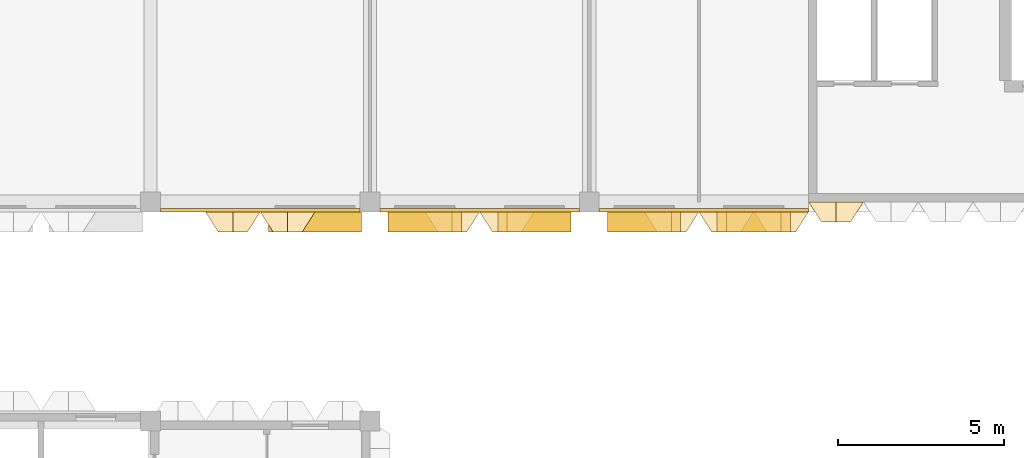
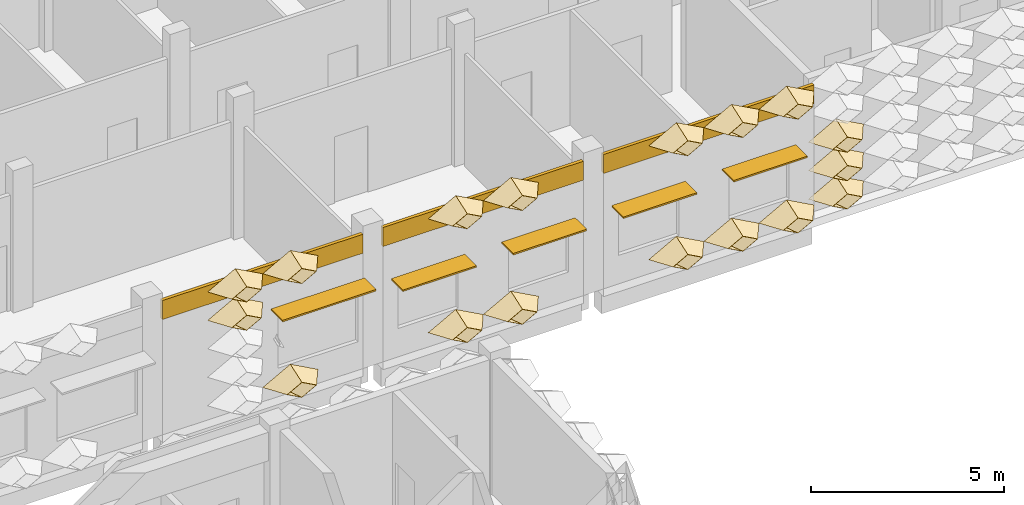
# One storey, part 87 of 102: 20 coverings, 5 shading devices.
"""IFC4 building model written with IfcOpenShell, lengths in metres."""

from ifc_helpers import new_model, entity, si_unit, direction, frame, frame_2d, origin, origin_2d, place, context, subcontext, project, spatial, rectangle, extrude, material, layer, layer_set, type_object, element, save


model = new_model("IFC4")

# Units and contexts
model_context = context("Model", 3, precision=1e-05, world=origin(), true_north=direction((0.0, 1.0)))
body_context = subcontext(model_context, "Body", "Model", "MODEL_VIEW")
ifc_project = project(units=[si_unit("LENGTHUNIT", "METRE"), si_unit("AREAUNIT", "SQUARE_METRE"), si_unit("VOLUMEUNIT", "CUBIC_METRE"), si_unit("PLANEANGLEUNIT", "RADIAN"), si_unit("MASSUNIT", "GRAM", prefix="KILO")], contexts=[model_context])

# Site, building, storey
site_placement = place(None, origin())
site = spatial("IfcSite", under=ifc_project, at=site_placement, CompositionType="ELEMENT")
building_placement = place(site_placement, origin())
building = spatial("IfcBuilding", under=site, at=building_placement, Name="Lantern Court Research Institute", CompositionType="ELEMENT")
storey_placement = place(building_placement, frame((0.0, 0.0, 9.89990234375)))
storey = spatial("IfcBuildingStorey", under=building, at=storey_placement, Name="L02", CompositionType="ELEMENT", Elevation=9.89990234375)

# Shading devices
ifc_material_1 = material(Name="Aluminium alloy 6063-T6", Category="aluminium")
ifc_layer_1 = layer(ifc_material_1, 0.050048828125)
ifc_layer_set_1 = layer_set([ifc_layer_1], Name="Aluminium alloy 6063-T6")
shading_device_type_1 = type_object("IfcShadingDeviceType", Name="Brise-soleil blade 2200 x 600 x 50 aluminium", PredefinedType="USERDEFINED", material=ifc_layer_set_1)
for number, where, z_axis, x_axis, name in (
    (1, (28.050048828125, 81.89990234375, 2.5), (0.0, 0.0, 1.0), (-1.0, 0.0, 0.0), "Brise-soleil blade L02 S"),
    (2, (31.35009765625, 81.89990234375, 2.5), (0.0, 0.0, 1.0), (-1.0, 0.0, 0.0), "Brise-soleil blade L02 S"),
    (3, (34.64990234375, 81.89990234375, 2.5), (0.0, 0.0, 1.0), (-1.0, 0.0, 0.0), "Brise-soleil blade L02 S"),
    (4, (37.949951171875, 81.89990234375, 2.5), (0.0, 0.0, 1.0), (-1.0, 0.0, 0.0), "Brise-soleil blade L02 S"),
):
    element("IfcShadingDevice", number, at=place(storey_placement, frame(where, z_axis=z_axis, x_axis=x_axis)), inside=storey, type_object=shading_device_type_1, Name=name, ObjectType="LOUVRE", PredefinedType="USERDEFINED", context=body_context, shape_type="SweptSolid", body=[
        extrude(rectangle(XDim=2.199951171875, YDim=0.60009765625, at=origin_2d()), origin(), (0.0, 0.0, 1.0), 0.050048828125),
    ])
ifc_material_2 = material(Name="Aluminium alloy 6063-T6", Category="aluminium")
ifc_layer_2 = layer(ifc_material_2, 0.050048828125)
ifc_layer_set_2 = layer_set([ifc_layer_2], Name="Aluminium alloy 6063-T6")
shading_device_type_2 = type_object("IfcShadingDeviceType", Name="Brise-soleil blade 2800 x 600 x 50 aluminium", PredefinedType="USERDEFINED", material=ifc_layer_set_2)
shading_device_placement = place(storey_placement, frame((24.75, 81.89990234375, 2.80029296875), z_axis=(0.0, 0.0, 1.0), x_axis=(-1.0, 0.0, 0.0)))
element("IfcShadingDevice", 5, at=shading_device_placement, inside=storey, type_object=shading_device_type_2, Name="Brise-soleil blade L02 S", ObjectType="LOUVRE", PredefinedType="USERDEFINED", context=body_context, shape_type="SweptSolid", body=[
    extrude(rectangle(XDim=2.800048828125, YDim=0.60009765625, at=origin_2d()), origin(), (0.0, 0.0, 1.0), 0.050048828125),
])

# Coverings
ifc_material_3 = material(Name="Aluminium composite panel with mineral wool insulation", Category="aluminium")
ifc_layer_3 = layer(ifc_material_3, 0.10009765625)
ifc_layer_set_3 = layer_set([ifc_layer_3], Name="Aluminium composite panel with mineral wool insulation")
covering_type_1 = type_object("IfcCoveringType", Name="Edge fascia panel 100 aluminium faced", PredefinedType="CLADDING", material=ifc_layer_set_3)
for number, where, z_axis, x_axis, name in (
    (6, (26.10009765625, 82.25, 3.650146484375), (0.0, 0.0, 1.0), (-1.0, 0.0, 0.0), "Edge fascia V6S L02 04"),
    (7, (32.699951171875, 82.25, 3.650146484375), (0.0, 0.0, 1.0), (-1.0, 0.0, 0.0), "Edge fascia V6S L02 05"),
):
    element("IfcCovering", number, at=place(storey_placement, frame(where, z_axis=z_axis, x_axis=x_axis)), inside=storey, type_object=covering_type_1, Name=name, PredefinedType="CLADDING", context=body_context, shape_type="SweptSolid", body=[
        extrude(rectangle(XDim=6.0, YDim=0.10009765625, at=frame_2d((3.0, 0.0))), origin(), (0.0, 0.0, 1.0), 0.599853515625),
    ])
covering_1_placement = place(storey_placement, frame((39.60009765625, 82.25, 3.650146484375), z_axis=(0.0, 0.0, 1.0), x_axis=(-1.0, 0.0, 0.0)))
element("IfcCovering", 8, at=covering_1_placement, inside=storey, type_object=covering_type_1, Name="Edge fascia V6S L02 06", PredefinedType="CLADDING", context=body_context, shape_type="SweptSolid", body=[
    extrude(rectangle(XDim=6.300048828125, YDim=0.10009765625, at=frame_2d((3.14990234375, 0.0))), origin(), (0.0, 0.0, 1.0), 0.599853515625),
])
ifc_material_4 = material(Name="Anodised aluminium", Category="aluminium")
ifc_layer_4 = layer(ifc_material_4, 0.01611328125)
ifc_layer_set_4 = layer_set([ifc_layer_4], Name="Anodised aluminium")
covering_type_2 = type_object("IfcCoveringType", Name="Fin cassette 1650 x 900 x 600 aluminium", PredefinedType="CLADDING", material=ifc_layer_set_4)
covering_2_placement = place(storey_placement, frame((40.425048828125, 82.5, 0.4501953125), z_axis=(0.0, -1.0, 0.0), x_axis=(1.0, 0.0, 0.0)))
cartesian_point_1 = entity("IfcCartesianPoint", [0.824951171875, 0.0])
cartesian_point_2 = entity("IfcCartesianPoint", [0.79150390625, 0.0])
cartesian_point_3 = entity("IfcCartesianPoint", [0.44189453125, 0.0])
cartesian_point_4 = entity("IfcCartesianPoint", [0.43359375, 0.0])
element("IfcCovering", 9, at=covering_2_placement, inside=storey, type_object=covering_type_2, Name="Fin cassette V6S-L02 1.25", PredefinedType="CLADDING", context=body_context, shape_type="SweptSolid", body=[
    entity("IfcExtrudedAreaSolidTapered", entity("IfcArbitraryProfileDefWithVoids", "AREA", None, entity("IfcPolyline", [cartesian_point_1, entity("IfcCartesianPoint", [0.0, 0.449951171875]), entity("IfcCartesianPoint", [-0.824951171875, 0.0]), entity("IfcCartesianPoint", [0.0, -0.449951171875]), cartesian_point_1]), [entity("IfcPolyline", [cartesian_point_2, entity("IfcCartesianPoint", [0.0, 0.431884765625]), entity("IfcCartesianPoint", [-0.79150390625, 0.0]), entity("IfcCartesianPoint", [0.0, -0.431884765625]), cartesian_point_2])]), entity("IfcAxis2Placement3D", entity("IfcCartesianPoint", [0.0, 0.0, 0.0])), entity("IfcDirection", [0.0, 0.0, 1.0]), 0.60009765625, entity("IfcArbitraryProfileDefWithVoids", "AREA", None, entity("IfcPolyline", [cartesian_point_3, entity("IfcCartesianPoint", [0.0, 0.240966796875]), entity("IfcCartesianPoint", [-0.44189453125, 0.0]), entity("IfcCartesianPoint", [0.0, -0.240966796875]), cartesian_point_3]), [entity("IfcPolyline", [cartesian_point_4, entity("IfcCartesianPoint", [0.0, 0.236572265625]), entity("IfcCartesianPoint", [-0.43359375, 0.0]), entity("IfcCartesianPoint", [0.0, -0.236572265625]), cartesian_point_4])])),
])
covering_3_placement = place(storey_placement, frame((40.425048828125, 82.5, 1.35009765625), z_axis=(0.0, -1.0, 0.0), x_axis=(1.0, 0.0, 0.0)))
cartesian_point_5 = entity("IfcCartesianPoint", [0.824951171875, 0.0])
cartesian_point_6 = entity("IfcCartesianPoint", [0.79150390625, 0.0])
cartesian_point_7 = entity("IfcCartesianPoint", [0.44189453125, 0.0])
cartesian_point_8 = entity("IfcCartesianPoint", [0.43359375, 0.0])
element("IfcCovering", 10, at=covering_3_placement, inside=storey, type_object=covering_type_2, Name="Fin cassette V6S-L02 2.25", PredefinedType="CLADDING", context=body_context, shape_type="SweptSolid", body=[
    entity("IfcExtrudedAreaSolidTapered", entity("IfcArbitraryProfileDefWithVoids", "AREA", None, entity("IfcPolyline", [cartesian_point_5, entity("IfcCartesianPoint", [0.0, 0.449951171875]), entity("IfcCartesianPoint", [-0.824951171875, 0.0]), entity("IfcCartesianPoint", [0.0, -0.449951171875]), cartesian_point_5]), [entity("IfcPolyline", [cartesian_point_6, entity("IfcCartesianPoint", [0.0, 0.431884765625]), entity("IfcCartesianPoint", [-0.79150390625, 0.0]), entity("IfcCartesianPoint", [0.0, -0.431884765625]), cartesian_point_6])]), entity("IfcAxis2Placement3D", entity("IfcCartesianPoint", [0.0, 0.0, 0.0])), entity("IfcDirection", [0.0, 0.0, 1.0]), 0.60009765625, entity("IfcArbitraryProfileDefWithVoids", "AREA", None, entity("IfcPolyline", [cartesian_point_7, entity("IfcCartesianPoint", [0.0, 0.240966796875]), entity("IfcCartesianPoint", [-0.44189453125, 0.0]), entity("IfcCartesianPoint", [0.0, -0.240966796875]), cartesian_point_7]), [entity("IfcPolyline", [cartesian_point_8, entity("IfcCartesianPoint", [0.0, 0.236572265625]), entity("IfcCartesianPoint", [-0.43359375, 0.0]), entity("IfcCartesianPoint", [0.0, -0.236572265625]), cartesian_point_8])])),
])
covering_4_placement = place(storey_placement, frame((40.425048828125, 82.5, 2.25), z_axis=(0.0, -1.0, 0.0), x_axis=(1.0, 0.0, 0.0)))
cartesian_point_9 = entity("IfcCartesianPoint", [0.824951171875, 0.0])
cartesian_point_10 = entity("IfcCartesianPoint", [0.79150390625, 0.0])
cartesian_point_11 = entity("IfcCartesianPoint", [0.44189453125, 0.0])
cartesian_point_12 = entity("IfcCartesianPoint", [0.43359375, 0.0])
element("IfcCovering", 11, at=covering_4_placement, inside=storey, type_object=covering_type_2, Name="Fin cassette V6S-L02 3.25", PredefinedType="CLADDING", context=body_context, shape_type="SweptSolid", body=[
    entity("IfcExtrudedAreaSolidTapered", entity("IfcArbitraryProfileDefWithVoids", "AREA", None, entity("IfcPolyline", [cartesian_point_9, entity("IfcCartesianPoint", [0.0, 0.449951171875]), entity("IfcCartesianPoint", [-0.824951171875, 0.0]), entity("IfcCartesianPoint", [0.0, -0.449951171875]), cartesian_point_9]), [entity("IfcPolyline", [cartesian_point_10, entity("IfcCartesianPoint", [0.0, 0.431884765625]), entity("IfcCartesianPoint", [-0.79150390625, 0.0]), entity("IfcCartesianPoint", [0.0, -0.431884765625]), cartesian_point_10])]), entity("IfcAxis2Placement3D", entity("IfcCartesianPoint", [0.0, 0.0, 0.0])), entity("IfcDirection", [0.0, 0.0, 1.0]), 0.60009765625, entity("IfcArbitraryProfileDefWithVoids", "AREA", None, entity("IfcPolyline", [cartesian_point_11, entity("IfcCartesianPoint", [0.0, 0.240966796875]), entity("IfcCartesianPoint", [-0.44189453125, 0.0]), entity("IfcCartesianPoint", [0.0, -0.240966796875]), cartesian_point_11]), [entity("IfcPolyline", [cartesian_point_12, entity("IfcCartesianPoint", [0.0, 0.236572265625]), entity("IfcCartesianPoint", [-0.43359375, 0.0]), entity("IfcCartesianPoint", [0.0, -0.236572265625]), cartesian_point_12])])),
])
covering_5_placement = place(storey_placement, frame((23.925048828125, 82.199951171875, 0.4501953125), z_axis=(0.0, -1.0, 0.0), x_axis=(1.0, 0.0, 0.0)))
cartesian_point_13 = entity("IfcCartesianPoint", [0.824951171875, 0.0])
cartesian_point_14 = entity("IfcCartesianPoint", [0.79150390625, 0.0])
cartesian_point_15 = entity("IfcCartesianPoint", [0.44189453125, 0.0])
cartesian_point_16 = entity("IfcCartesianPoint", [0.43359375, 0.0])
element("IfcCovering", 12, at=covering_5_placement, inside=storey, type_object=covering_type_2, Name="Fin cassette V6S-L02 1.15", PredefinedType="CLADDING", context=body_context, shape_type="SweptSolid", body=[
    entity("IfcExtrudedAreaSolidTapered", entity("IfcArbitraryProfileDefWithVoids", "AREA", None, entity("IfcPolyline", [cartesian_point_13, entity("IfcCartesianPoint", [0.0, 0.449951171875]), entity("IfcCartesianPoint", [-0.824951171875, 0.0]), entity("IfcCartesianPoint", [0.0, -0.449951171875]), cartesian_point_13]), [entity("IfcPolyline", [cartesian_point_14, entity("IfcCartesianPoint", [0.0, 0.431884765625]), entity("IfcCartesianPoint", [-0.79150390625, 0.0]), entity("IfcCartesianPoint", [0.0, -0.431884765625]), cartesian_point_14])]), entity("IfcAxis2Placement3D", entity("IfcCartesianPoint", [0.0, 0.0, 0.0])), entity("IfcDirection", [0.0, 0.0, 1.0]), 0.60009765625, entity("IfcArbitraryProfileDefWithVoids", "AREA", None, entity("IfcPolyline", [cartesian_point_15, entity("IfcCartesianPoint", [0.0, 0.240966796875]), entity("IfcCartesianPoint", [-0.44189453125, 0.0]), entity("IfcCartesianPoint", [0.0, -0.240966796875]), cartesian_point_15]), [entity("IfcPolyline", [cartesian_point_16, entity("IfcCartesianPoint", [0.0, 0.236572265625]), entity("IfcCartesianPoint", [-0.43359375, 0.0]), entity("IfcCartesianPoint", [0.0, -0.236572265625]), cartesian_point_16])])),
])
covering_6_placement = place(storey_placement, frame((28.875, 82.199951171875, 0.4501953125), z_axis=(0.0, -1.0, 0.0), x_axis=(1.0, 0.0, 0.0)))
cartesian_point_17 = entity("IfcCartesianPoint", [0.824951171875, 0.0])
cartesian_point_18 = entity("IfcCartesianPoint", [0.79150390625, 0.0])
cartesian_point_19 = entity("IfcCartesianPoint", [0.44189453125, 0.0])
cartesian_point_20 = entity("IfcCartesianPoint", [0.43359375, 0.0])
element("IfcCovering", 13, at=covering_6_placement, inside=storey, type_object=covering_type_2, Name="Fin cassette V6S-L02 1.18", PredefinedType="CLADDING", context=body_context, shape_type="SweptSolid", body=[
    entity("IfcExtrudedAreaSolidTapered", entity("IfcArbitraryProfileDefWithVoids", "AREA", None, entity("IfcPolyline", [cartesian_point_17, entity("IfcCartesianPoint", [0.0, 0.449951171875]), entity("IfcCartesianPoint", [-0.824951171875, 0.0]), entity("IfcCartesianPoint", [0.0, -0.449951171875]), cartesian_point_17]), [entity("IfcPolyline", [cartesian_point_18, entity("IfcCartesianPoint", [0.0, 0.431884765625]), entity("IfcCartesianPoint", [-0.79150390625, 0.0]), entity("IfcCartesianPoint", [0.0, -0.431884765625]), cartesian_point_18])]), entity("IfcAxis2Placement3D", entity("IfcCartesianPoint", [0.0, 0.0, 0.0])), entity("IfcDirection", [0.0, 0.0, 1.0]), 0.60009765625, entity("IfcArbitraryProfileDefWithVoids", "AREA", None, entity("IfcPolyline", [cartesian_point_19, entity("IfcCartesianPoint", [0.0, 0.240966796875]), entity("IfcCartesianPoint", [-0.44189453125, 0.0]), entity("IfcCartesianPoint", [0.0, -0.240966796875]), cartesian_point_19]), [entity("IfcPolyline", [cartesian_point_20, entity("IfcCartesianPoint", [0.0, 0.236572265625]), entity("IfcCartesianPoint", [-0.43359375, 0.0]), entity("IfcCartesianPoint", [0.0, -0.236572265625]), cartesian_point_20])])),
])
covering_7_placement = place(storey_placement, frame((30.52490234375, 82.199951171875, 0.4501953125), z_axis=(0.0, -1.0, 0.0), x_axis=(1.0, 0.0, 0.0)))
cartesian_point_21 = entity("IfcCartesianPoint", [0.824951171875, 0.0])
cartesian_point_22 = entity("IfcCartesianPoint", [0.79150390625, 0.0])
cartesian_point_23 = entity("IfcCartesianPoint", [0.44189453125, 0.0])
cartesian_point_24 = entity("IfcCartesianPoint", [0.43359375, 0.0])
element("IfcCovering", 14, at=covering_7_placement, inside=storey, type_object=covering_type_2, Name="Fin cassette V6S-L02 1.19", PredefinedType="CLADDING", context=body_context, shape_type="SweptSolid", body=[
    entity("IfcExtrudedAreaSolidTapered", entity("IfcArbitraryProfileDefWithVoids", "AREA", None, entity("IfcPolyline", [cartesian_point_21, entity("IfcCartesianPoint", [0.0, 0.449951171875]), entity("IfcCartesianPoint", [-0.824951171875, 0.0]), entity("IfcCartesianPoint", [0.0, -0.449951171875]), cartesian_point_21]), [entity("IfcPolyline", [cartesian_point_22, entity("IfcCartesianPoint", [0.0, 0.431884765625]), entity("IfcCartesianPoint", [-0.79150390625, 0.0]), entity("IfcCartesianPoint", [0.0, -0.431884765625]), cartesian_point_22])]), entity("IfcAxis2Placement3D", entity("IfcCartesianPoint", [0.0, 0.0, 0.0])), entity("IfcDirection", [0.0, 0.0, 1.0]), 0.60009765625, entity("IfcArbitraryProfileDefWithVoids", "AREA", None, entity("IfcPolyline", [cartesian_point_23, entity("IfcCartesianPoint", [0.0, 0.240966796875]), entity("IfcCartesianPoint", [-0.44189453125, 0.0]), entity("IfcCartesianPoint", [0.0, -0.240966796875]), cartesian_point_23]), [entity("IfcPolyline", [cartesian_point_24, entity("IfcCartesianPoint", [0.0, 0.236572265625]), entity("IfcCartesianPoint", [-0.43359375, 0.0]), entity("IfcCartesianPoint", [0.0, -0.236572265625]), cartesian_point_24])])),
])
covering_8_placement = place(storey_placement, frame((35.47509765625, 82.199951171875, 0.4501953125), z_axis=(0.0, -1.0, 0.0), x_axis=(1.0, 0.0, 0.0)))
cartesian_point_25 = entity("IfcCartesianPoint", [0.824951171875, 0.0])
cartesian_point_26 = entity("IfcCartesianPoint", [0.79150390625, 0.0])
cartesian_point_27 = entity("IfcCartesianPoint", [0.44189453125, 0.0])
cartesian_point_28 = entity("IfcCartesianPoint", [0.43359375, 0.0])
element("IfcCovering", 15, at=covering_8_placement, inside=storey, type_object=covering_type_2, Name="Fin cassette V6S-L02 1.22", PredefinedType="CLADDING", context=body_context, shape_type="SweptSolid", body=[
    entity("IfcExtrudedAreaSolidTapered", entity("IfcArbitraryProfileDefWithVoids", "AREA", None, entity("IfcPolyline", [cartesian_point_25, entity("IfcCartesianPoint", [0.0, 0.449951171875]), entity("IfcCartesianPoint", [-0.824951171875, 0.0]), entity("IfcCartesianPoint", [0.0, -0.449951171875]), cartesian_point_25]), [entity("IfcPolyline", [cartesian_point_26, entity("IfcCartesianPoint", [0.0, 0.431884765625]), entity("IfcCartesianPoint", [-0.79150390625, 0.0]), entity("IfcCartesianPoint", [0.0, -0.431884765625]), cartesian_point_26])]), entity("IfcAxis2Placement3D", entity("IfcCartesianPoint", [0.0, 0.0, 0.0])), entity("IfcDirection", [0.0, 0.0, 1.0]), 0.60009765625, entity("IfcArbitraryProfileDefWithVoids", "AREA", None, entity("IfcPolyline", [cartesian_point_27, entity("IfcCartesianPoint", [0.0, 0.240966796875]), entity("IfcCartesianPoint", [-0.44189453125, 0.0]), entity("IfcCartesianPoint", [0.0, -0.240966796875]), cartesian_point_27]), [entity("IfcPolyline", [cartesian_point_28, entity("IfcCartesianPoint", [0.0, 0.236572265625]), entity("IfcCartesianPoint", [-0.43359375, 0.0]), entity("IfcCartesianPoint", [0.0, -0.236572265625]), cartesian_point_28])])),
])
covering_9_placement = place(storey_placement, frame((37.125, 82.199951171875, 0.4501953125), z_axis=(0.0, -1.0, 0.0), x_axis=(1.0, 0.0, 0.0)))
cartesian_point_29 = entity("IfcCartesianPoint", [0.824951171875, 0.0])
cartesian_point_30 = entity("IfcCartesianPoint", [0.79150390625, 0.0])
cartesian_point_31 = entity("IfcCartesianPoint", [0.44189453125, 0.0])
cartesian_point_32 = entity("IfcCartesianPoint", [0.43359375, 0.0])
element("IfcCovering", 16, at=covering_9_placement, inside=storey, type_object=covering_type_2, Name="Fin cassette V6S-L02 1.23", PredefinedType="CLADDING", context=body_context, shape_type="SweptSolid", body=[
    entity("IfcExtrudedAreaSolidTapered", entity("IfcArbitraryProfileDefWithVoids", "AREA", None, entity("IfcPolyline", [cartesian_point_29, entity("IfcCartesianPoint", [0.0, 0.449951171875]), entity("IfcCartesianPoint", [-0.824951171875, 0.0]), entity("IfcCartesianPoint", [0.0, -0.449951171875]), cartesian_point_29]), [entity("IfcPolyline", [cartesian_point_30, entity("IfcCartesianPoint", [0.0, 0.431884765625]), entity("IfcCartesianPoint", [-0.79150390625, 0.0]), entity("IfcCartesianPoint", [0.0, -0.431884765625]), cartesian_point_30])]), entity("IfcAxis2Placement3D", entity("IfcCartesianPoint", [0.0, 0.0, 0.0])), entity("IfcDirection", [0.0, 0.0, 1.0]), 0.60009765625, entity("IfcArbitraryProfileDefWithVoids", "AREA", None, entity("IfcPolyline", [cartesian_point_31, entity("IfcCartesianPoint", [0.0, 0.240966796875]), entity("IfcCartesianPoint", [-0.44189453125, 0.0]), entity("IfcCartesianPoint", [0.0, -0.240966796875]), cartesian_point_31]), [entity("IfcPolyline", [cartesian_point_32, entity("IfcCartesianPoint", [0.0, 0.236572265625]), entity("IfcCartesianPoint", [-0.43359375, 0.0]), entity("IfcCartesianPoint", [0.0, -0.236572265625]), cartesian_point_32])])),
])
covering_10_placement = place(storey_placement, frame((38.77490234375, 82.199951171875, 0.4501953125), z_axis=(0.0, -1.0, 0.0), x_axis=(1.0, 0.0, 0.0)))
cartesian_point_33 = entity("IfcCartesianPoint", [0.824951171875, 0.0])
cartesian_point_34 = entity("IfcCartesianPoint", [0.79150390625, 0.0])
cartesian_point_35 = entity("IfcCartesianPoint", [0.44189453125, 0.0])
cartesian_point_36 = entity("IfcCartesianPoint", [0.43359375, 0.0])
element("IfcCovering", 17, at=covering_10_placement, inside=storey, type_object=covering_type_2, Name="Fin cassette V6S-L02 1.24", PredefinedType="CLADDING", context=body_context, shape_type="SweptSolid", body=[
    entity("IfcExtrudedAreaSolidTapered", entity("IfcArbitraryProfileDefWithVoids", "AREA", None, entity("IfcPolyline", [cartesian_point_33, entity("IfcCartesianPoint", [0.0, 0.449951171875]), entity("IfcCartesianPoint", [-0.824951171875, 0.0]), entity("IfcCartesianPoint", [0.0, -0.449951171875]), cartesian_point_33]), [entity("IfcPolyline", [cartesian_point_34, entity("IfcCartesianPoint", [0.0, 0.431884765625]), entity("IfcCartesianPoint", [-0.79150390625, 0.0]), entity("IfcCartesianPoint", [0.0, -0.431884765625]), cartesian_point_34])]), entity("IfcAxis2Placement3D", entity("IfcCartesianPoint", [0.0, 0.0, 0.0])), entity("IfcDirection", [0.0, 0.0, 1.0]), 0.60009765625, entity("IfcArbitraryProfileDefWithVoids", "AREA", None, entity("IfcPolyline", [cartesian_point_35, entity("IfcCartesianPoint", [0.0, 0.240966796875]), entity("IfcCartesianPoint", [-0.44189453125, 0.0]), entity("IfcCartesianPoint", [0.0, -0.240966796875]), cartesian_point_35]), [entity("IfcPolyline", [cartesian_point_36, entity("IfcCartesianPoint", [0.0, 0.236572265625]), entity("IfcCartesianPoint", [-0.43359375, 0.0]), entity("IfcCartesianPoint", [0.0, -0.236572265625]), cartesian_point_36])])),
])
covering_11_placement = place(storey_placement, frame((22.27490234375, 82.199951171875, 3.150146484375), z_axis=(0.0, -1.0, 0.0), x_axis=(1.0, 0.0, 0.0)))
cartesian_point_37 = entity("IfcCartesianPoint", [0.824951171875, 0.0])
cartesian_point_38 = entity("IfcCartesianPoint", [0.79150390625, 0.0])
cartesian_point_39 = entity("IfcCartesianPoint", [0.44189453125, 0.0])
cartesian_point_40 = entity("IfcCartesianPoint", [0.43359375, 0.0])
element("IfcCovering", 18, at=covering_11_placement, inside=storey, type_object=covering_type_2, Name="Fin cassette V6S-L02 4.14", PredefinedType="CLADDING", context=body_context, shape_type="SweptSolid", body=[
    entity("IfcExtrudedAreaSolidTapered", entity("IfcArbitraryProfileDefWithVoids", "AREA", None, entity("IfcPolyline", [cartesian_point_37, entity("IfcCartesianPoint", [0.0, 0.449951171875]), entity("IfcCartesianPoint", [-0.824951171875, 0.0]), entity("IfcCartesianPoint", [0.0, -0.449951171875]), cartesian_point_37]), [entity("IfcPolyline", [cartesian_point_38, entity("IfcCartesianPoint", [0.0, 0.431884765625]), entity("IfcCartesianPoint", [-0.79150390625, 0.0]), entity("IfcCartesianPoint", [0.0, -0.431884765625]), cartesian_point_38])]), entity("IfcAxis2Placement3D", entity("IfcCartesianPoint", [0.0, 0.0, 0.0])), entity("IfcDirection", [0.0, 0.0, 1.0]), 0.60009765625, entity("IfcArbitraryProfileDefWithVoids", "AREA", None, entity("IfcPolyline", [cartesian_point_39, entity("IfcCartesianPoint", [0.0, 0.240966796875]), entity("IfcCartesianPoint", [-0.44189453125, 0.0]), entity("IfcCartesianPoint", [0.0, -0.240966796875]), cartesian_point_39]), [entity("IfcPolyline", [cartesian_point_40, entity("IfcCartesianPoint", [0.0, 0.236572265625]), entity("IfcCartesianPoint", [-0.43359375, 0.0]), entity("IfcCartesianPoint", [0.0, -0.236572265625]), cartesian_point_40])])),
])
covering_12_placement = place(storey_placement, frame((22.27490234375, 82.199951171875, 4.050048828125), z_axis=(0.0, -1.0, 0.0), x_axis=(1.0, 0.0, 0.0)))
cartesian_point_41 = entity("IfcCartesianPoint", [0.824951171875, 0.0])
cartesian_point_42 = entity("IfcCartesianPoint", [0.79150390625, 0.0])
cartesian_point_43 = entity("IfcCartesianPoint", [0.44189453125, 0.0])
cartesian_point_44 = entity("IfcCartesianPoint", [0.43359375, 0.0])
element("IfcCovering", 19, at=covering_12_placement, inside=storey, type_object=covering_type_2, Name="Fin cassette V6S-L02 5.14", PredefinedType="CLADDING", context=body_context, shape_type="SweptSolid", body=[
    entity("IfcExtrudedAreaSolidTapered", entity("IfcArbitraryProfileDefWithVoids", "AREA", None, entity("IfcPolyline", [cartesian_point_41, entity("IfcCartesianPoint", [0.0, 0.449951171875]), entity("IfcCartesianPoint", [-0.824951171875, 0.0]), entity("IfcCartesianPoint", [0.0, -0.449951171875]), cartesian_point_41]), [entity("IfcPolyline", [cartesian_point_42, entity("IfcCartesianPoint", [0.0, 0.431884765625]), entity("IfcCartesianPoint", [-0.79150390625, 0.0]), entity("IfcCartesianPoint", [0.0, -0.431884765625]), cartesian_point_42])]), entity("IfcAxis2Placement3D", entity("IfcCartesianPoint", [0.0, 0.0, 0.0])), entity("IfcDirection", [0.0, 0.0, 1.0]), 0.60009765625, entity("IfcArbitraryProfileDefWithVoids", "AREA", None, entity("IfcPolyline", [cartesian_point_43, entity("IfcCartesianPoint", [0.0, 0.240966796875]), entity("IfcCartesianPoint", [-0.44189453125, 0.0]), entity("IfcCartesianPoint", [0.0, -0.240966796875]), cartesian_point_43]), [entity("IfcPolyline", [cartesian_point_44, entity("IfcCartesianPoint", [0.0, 0.236572265625]), entity("IfcCartesianPoint", [-0.43359375, 0.0]), entity("IfcCartesianPoint", [0.0, -0.236572265625]), cartesian_point_44])])),
])
covering_13_placement = place(storey_placement, frame((23.925048828125, 82.199951171875, 4.050048828125), z_axis=(0.0, -1.0, 0.0), x_axis=(1.0, 0.0, 0.0)))
cartesian_point_45 = entity("IfcCartesianPoint", [0.824951171875, 0.0])
cartesian_point_46 = entity("IfcCartesianPoint", [0.79150390625, 0.0])
cartesian_point_47 = entity("IfcCartesianPoint", [0.44189453125, 0.0])
cartesian_point_48 = entity("IfcCartesianPoint", [0.43359375, 0.0])
element("IfcCovering", 20, at=covering_13_placement, inside=storey, type_object=covering_type_2, Name="Fin cassette V6S-L02 5.15", PredefinedType="CLADDING", context=body_context, shape_type="SweptSolid", body=[
    entity("IfcExtrudedAreaSolidTapered", entity("IfcArbitraryProfileDefWithVoids", "AREA", None, entity("IfcPolyline", [cartesian_point_45, entity("IfcCartesianPoint", [0.0, 0.449951171875]), entity("IfcCartesianPoint", [-0.824951171875, 0.0]), entity("IfcCartesianPoint", [0.0, -0.449951171875]), cartesian_point_45]), [entity("IfcPolyline", [cartesian_point_46, entity("IfcCartesianPoint", [0.0, 0.431884765625]), entity("IfcCartesianPoint", [-0.79150390625, 0.0]), entity("IfcCartesianPoint", [0.0, -0.431884765625]), cartesian_point_46])]), entity("IfcAxis2Placement3D", entity("IfcCartesianPoint", [0.0, 0.0, 0.0])), entity("IfcDirection", [0.0, 0.0, 1.0]), 0.60009765625, entity("IfcArbitraryProfileDefWithVoids", "AREA", None, entity("IfcPolyline", [cartesian_point_47, entity("IfcCartesianPoint", [0.0, 0.240966796875]), entity("IfcCartesianPoint", [-0.44189453125, 0.0]), entity("IfcCartesianPoint", [0.0, -0.240966796875]), cartesian_point_47]), [entity("IfcPolyline", [cartesian_point_48, entity("IfcCartesianPoint", [0.0, 0.236572265625]), entity("IfcCartesianPoint", [-0.43359375, 0.0]), entity("IfcCartesianPoint", [0.0, -0.236572265625]), cartesian_point_48])])),
])
covering_14_placement = place(storey_placement, frame((28.875, 82.199951171875, 4.050048828125), z_axis=(0.0, -1.0, 0.0), x_axis=(1.0, 0.0, 0.0)))
cartesian_point_49 = entity("IfcCartesianPoint", [0.824951171875, 0.0])
cartesian_point_50 = entity("IfcCartesianPoint", [0.79150390625, 0.0])
cartesian_point_51 = entity("IfcCartesianPoint", [0.44189453125, 0.0])
cartesian_point_52 = entity("IfcCartesianPoint", [0.43359375, 0.0])
element("IfcCovering", 21, at=covering_14_placement, inside=storey, type_object=covering_type_2, Name="Fin cassette V6S-L02 5.18", PredefinedType="CLADDING", context=body_context, shape_type="SweptSolid", body=[
    entity("IfcExtrudedAreaSolidTapered", entity("IfcArbitraryProfileDefWithVoids", "AREA", None, entity("IfcPolyline", [cartesian_point_49, entity("IfcCartesianPoint", [0.0, 0.449951171875]), entity("IfcCartesianPoint", [-0.824951171875, 0.0]), entity("IfcCartesianPoint", [0.0, -0.449951171875]), cartesian_point_49]), [entity("IfcPolyline", [cartesian_point_50, entity("IfcCartesianPoint", [0.0, 0.431884765625]), entity("IfcCartesianPoint", [-0.79150390625, 0.0]), entity("IfcCartesianPoint", [0.0, -0.431884765625]), cartesian_point_50])]), entity("IfcAxis2Placement3D", entity("IfcCartesianPoint", [0.0, 0.0, 0.0])), entity("IfcDirection", [0.0, 0.0, 1.0]), 0.60009765625, entity("IfcArbitraryProfileDefWithVoids", "AREA", None, entity("IfcPolyline", [cartesian_point_51, entity("IfcCartesianPoint", [0.0, 0.240966796875]), entity("IfcCartesianPoint", [-0.44189453125, 0.0]), entity("IfcCartesianPoint", [0.0, -0.240966796875]), cartesian_point_51]), [entity("IfcPolyline", [cartesian_point_52, entity("IfcCartesianPoint", [0.0, 0.236572265625]), entity("IfcCartesianPoint", [-0.43359375, 0.0]), entity("IfcCartesianPoint", [0.0, -0.236572265625]), cartesian_point_52])])),
])
covering_15_placement = place(storey_placement, frame((30.52490234375, 82.199951171875, 4.050048828125), z_axis=(0.0, -1.0, 0.0), x_axis=(1.0, 0.0, 0.0)))
cartesian_point_53 = entity("IfcCartesianPoint", [0.824951171875, 0.0])
cartesian_point_54 = entity("IfcCartesianPoint", [0.79150390625, 0.0])
cartesian_point_55 = entity("IfcCartesianPoint", [0.44189453125, 0.0])
cartesian_point_56 = entity("IfcCartesianPoint", [0.43359375, 0.0])
element("IfcCovering", 22, at=covering_15_placement, inside=storey, type_object=covering_type_2, Name="Fin cassette V6S-L02 5.19", PredefinedType="CLADDING", context=body_context, shape_type="SweptSolid", body=[
    entity("IfcExtrudedAreaSolidTapered", entity("IfcArbitraryProfileDefWithVoids", "AREA", None, entity("IfcPolyline", [cartesian_point_53, entity("IfcCartesianPoint", [0.0, 0.449951171875]), entity("IfcCartesianPoint", [-0.824951171875, 0.0]), entity("IfcCartesianPoint", [0.0, -0.449951171875]), cartesian_point_53]), [entity("IfcPolyline", [cartesian_point_54, entity("IfcCartesianPoint", [0.0, 0.431884765625]), entity("IfcCartesianPoint", [-0.79150390625, 0.0]), entity("IfcCartesianPoint", [0.0, -0.431884765625]), cartesian_point_54])]), entity("IfcAxis2Placement3D", entity("IfcCartesianPoint", [0.0, 0.0, 0.0])), entity("IfcDirection", [0.0, 0.0, 1.0]), 0.60009765625, entity("IfcArbitraryProfileDefWithVoids", "AREA", None, entity("IfcPolyline", [cartesian_point_55, entity("IfcCartesianPoint", [0.0, 0.240966796875]), entity("IfcCartesianPoint", [-0.44189453125, 0.0]), entity("IfcCartesianPoint", [0.0, -0.240966796875]), cartesian_point_55]), [entity("IfcPolyline", [cartesian_point_56, entity("IfcCartesianPoint", [0.0, 0.236572265625]), entity("IfcCartesianPoint", [-0.43359375, 0.0]), entity("IfcCartesianPoint", [0.0, -0.236572265625]), cartesian_point_56])])),
])
covering_16_placement = place(storey_placement, frame((35.47509765625, 82.199951171875, 4.050048828125), z_axis=(0.0, -1.0, 0.0), x_axis=(1.0, 0.0, 0.0)))
cartesian_point_57 = entity("IfcCartesianPoint", [0.824951171875, 0.0])
cartesian_point_58 = entity("IfcCartesianPoint", [0.79150390625, 0.0])
cartesian_point_59 = entity("IfcCartesianPoint", [0.44189453125, 0.0])
cartesian_point_60 = entity("IfcCartesianPoint", [0.43359375, 0.0])
element("IfcCovering", 23, at=covering_16_placement, inside=storey, type_object=covering_type_2, Name="Fin cassette V6S-L02 5.22", PredefinedType="CLADDING", context=body_context, shape_type="SweptSolid", body=[
    entity("IfcExtrudedAreaSolidTapered", entity("IfcArbitraryProfileDefWithVoids", "AREA", None, entity("IfcPolyline", [cartesian_point_57, entity("IfcCartesianPoint", [0.0, 0.449951171875]), entity("IfcCartesianPoint", [-0.824951171875, 0.0]), entity("IfcCartesianPoint", [0.0, -0.449951171875]), cartesian_point_57]), [entity("IfcPolyline", [cartesian_point_58, entity("IfcCartesianPoint", [0.0, 0.431884765625]), entity("IfcCartesianPoint", [-0.79150390625, 0.0]), entity("IfcCartesianPoint", [0.0, -0.431884765625]), cartesian_point_58])]), entity("IfcAxis2Placement3D", entity("IfcCartesianPoint", [0.0, 0.0, 0.0])), entity("IfcDirection", [0.0, 0.0, 1.0]), 0.60009765625, entity("IfcArbitraryProfileDefWithVoids", "AREA", None, entity("IfcPolyline", [cartesian_point_59, entity("IfcCartesianPoint", [0.0, 0.240966796875]), entity("IfcCartesianPoint", [-0.44189453125, 0.0]), entity("IfcCartesianPoint", [0.0, -0.240966796875]), cartesian_point_59]), [entity("IfcPolyline", [cartesian_point_60, entity("IfcCartesianPoint", [0.0, 0.236572265625]), entity("IfcCartesianPoint", [-0.43359375, 0.0]), entity("IfcCartesianPoint", [0.0, -0.236572265625]), cartesian_point_60])])),
])
covering_17_placement = place(storey_placement, frame((37.125, 82.199951171875, 4.050048828125), z_axis=(0.0, -1.0, 0.0), x_axis=(1.0, 0.0, 0.0)))
cartesian_point_61 = entity("IfcCartesianPoint", [0.824951171875, 0.0])
cartesian_point_62 = entity("IfcCartesianPoint", [0.79150390625, 0.0])
cartesian_point_63 = entity("IfcCartesianPoint", [0.44189453125, 0.0])
cartesian_point_64 = entity("IfcCartesianPoint", [0.43359375, 0.0])
element("IfcCovering", 24, at=covering_17_placement, inside=storey, type_object=covering_type_2, Name="Fin cassette V6S-L02 5.23", PredefinedType="CLADDING", context=body_context, shape_type="SweptSolid", body=[
    entity("IfcExtrudedAreaSolidTapered", entity("IfcArbitraryProfileDefWithVoids", "AREA", None, entity("IfcPolyline", [cartesian_point_61, entity("IfcCartesianPoint", [0.0, 0.449951171875]), entity("IfcCartesianPoint", [-0.824951171875, 0.0]), entity("IfcCartesianPoint", [0.0, -0.449951171875]), cartesian_point_61]), [entity("IfcPolyline", [cartesian_point_62, entity("IfcCartesianPoint", [0.0, 0.431884765625]), entity("IfcCartesianPoint", [-0.79150390625, 0.0]), entity("IfcCartesianPoint", [0.0, -0.431884765625]), cartesian_point_62])]), entity("IfcAxis2Placement3D", entity("IfcCartesianPoint", [0.0, 0.0, 0.0])), entity("IfcDirection", [0.0, 0.0, 1.0]), 0.60009765625, entity("IfcArbitraryProfileDefWithVoids", "AREA", None, entity("IfcPolyline", [cartesian_point_63, entity("IfcCartesianPoint", [0.0, 0.240966796875]), entity("IfcCartesianPoint", [-0.44189453125, 0.0]), entity("IfcCartesianPoint", [0.0, -0.240966796875]), cartesian_point_63]), [entity("IfcPolyline", [cartesian_point_64, entity("IfcCartesianPoint", [0.0, 0.236572265625]), entity("IfcCartesianPoint", [-0.43359375, 0.0]), entity("IfcCartesianPoint", [0.0, -0.236572265625]), cartesian_point_64])])),
])
covering_18_placement = place(storey_placement, frame((38.77490234375, 82.199951171875, 4.050048828125), z_axis=(0.0, -1.0, 0.0), x_axis=(1.0, 0.0, 0.0)))
cartesian_point_65 = entity("IfcCartesianPoint", [0.824951171875, 0.0])
cartesian_point_66 = entity("IfcCartesianPoint", [0.79150390625, 0.0])
cartesian_point_67 = entity("IfcCartesianPoint", [0.44189453125, 0.0])
cartesian_point_68 = entity("IfcCartesianPoint", [0.43359375, 0.0])
element("IfcCovering", 25, at=covering_18_placement, inside=storey, type_object=covering_type_2, Name="Fin cassette V6S-L02 5.24", PredefinedType="CLADDING", context=body_context, shape_type="SweptSolid", body=[
    entity("IfcExtrudedAreaSolidTapered", entity("IfcArbitraryProfileDefWithVoids", "AREA", None, entity("IfcPolyline", [cartesian_point_65, entity("IfcCartesianPoint", [0.0, 0.449951171875]), entity("IfcCartesianPoint", [-0.824951171875, 0.0]), entity("IfcCartesianPoint", [0.0, -0.449951171875]), cartesian_point_65]), [entity("IfcPolyline", [cartesian_point_66, entity("IfcCartesianPoint", [0.0, 0.431884765625]), entity("IfcCartesianPoint", [-0.79150390625, 0.0]), entity("IfcCartesianPoint", [0.0, -0.431884765625]), cartesian_point_66])]), entity("IfcAxis2Placement3D", entity("IfcCartesianPoint", [0.0, 0.0, 0.0])), entity("IfcDirection", [0.0, 0.0, 1.0]), 0.60009765625, entity("IfcArbitraryProfileDefWithVoids", "AREA", None, entity("IfcPolyline", [cartesian_point_67, entity("IfcCartesianPoint", [0.0, 0.240966796875]), entity("IfcCartesianPoint", [-0.44189453125, 0.0]), entity("IfcCartesianPoint", [0.0, -0.240966796875]), cartesian_point_67]), [entity("IfcPolyline", [cartesian_point_68, entity("IfcCartesianPoint", [0.0, 0.236572265625]), entity("IfcCartesianPoint", [-0.43359375, 0.0]), entity("IfcCartesianPoint", [0.0, -0.236572265625]), cartesian_point_68])])),
])

save(model, "model.ifc")
